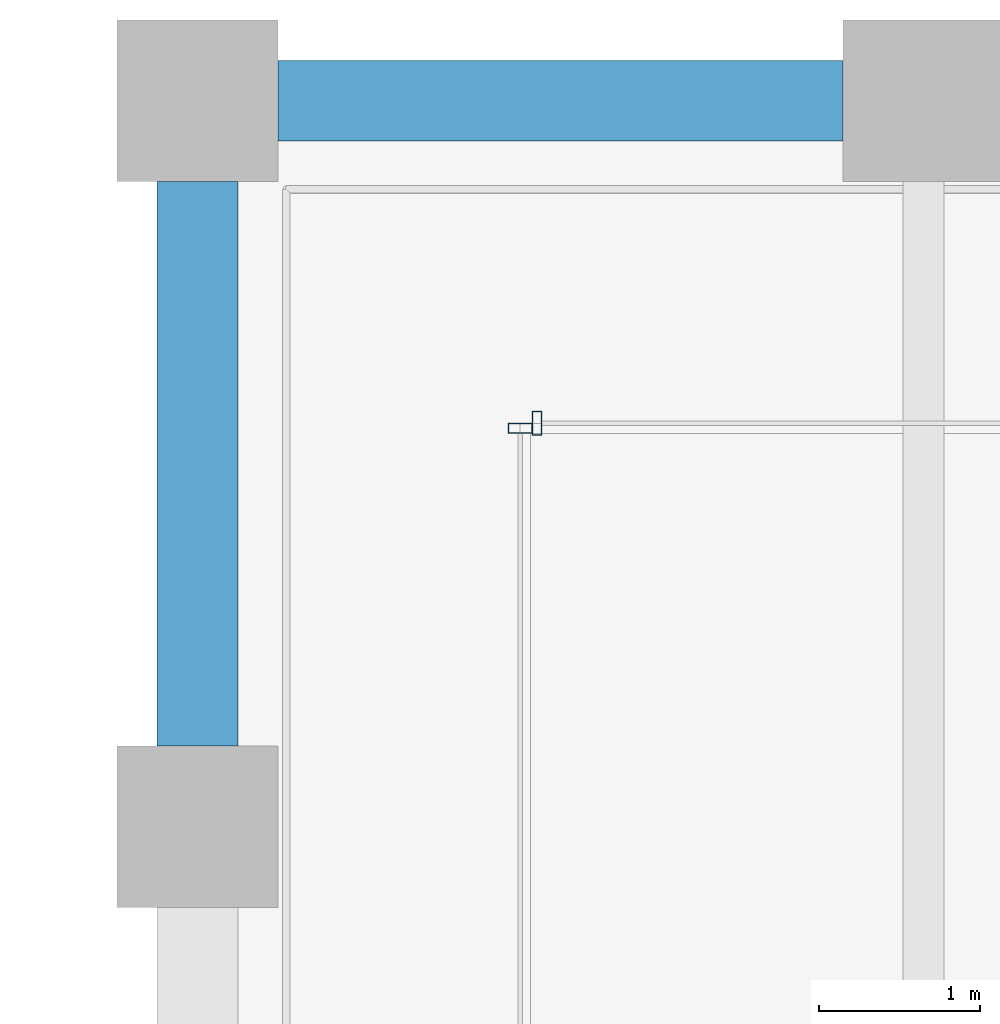
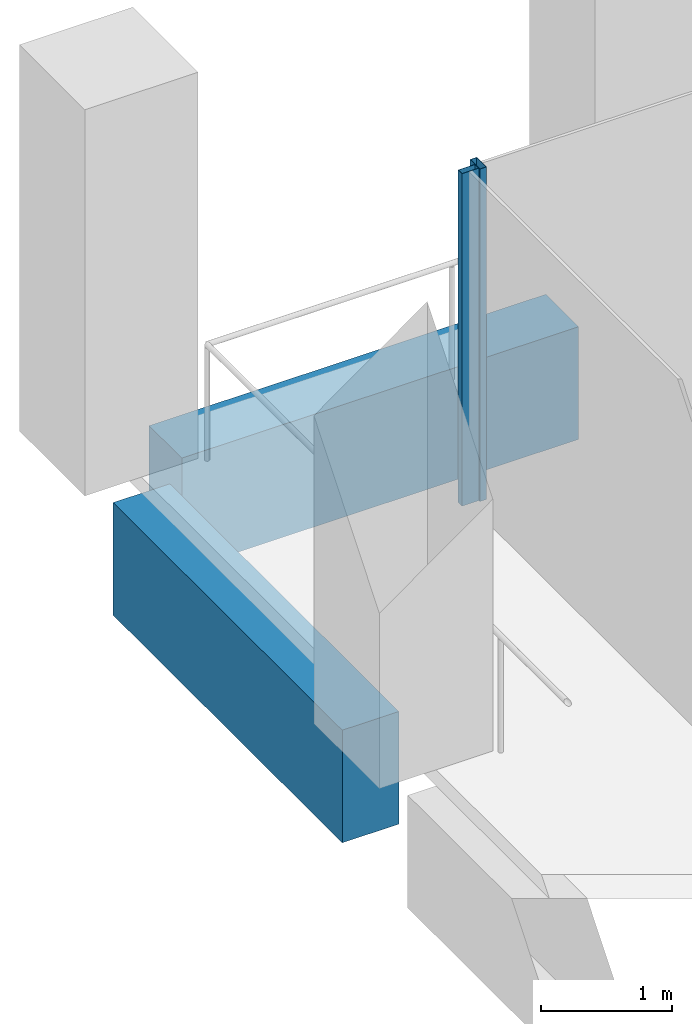
# One storey, part 21 of 46: 2 beams, 2 members, 2 elements without a shape of their own.
"""IFC4 building model written with IfcOpenShell, lengths in metres."""

from ifc_helpers import new_model, si_unit, direction, frame, origin, origin_2d, place, context, subcontext, project, spatial, rectangle, hollow_rectangle, extrude, material, material_profile, profile_set, type_object, element, aggregate, save


model = new_model("IFC4")

# Units and contexts
model_context = context("Model", 3, precision=1e-05, world=origin(), true_north=direction((0.0, 1.0)))
body_context = subcontext(model_context, "Body", "Model", "MODEL_VIEW")
ifc_project = project(units=[si_unit("LENGTHUNIT", "METRE"), si_unit("AREAUNIT", "SQUARE_METRE"), si_unit("VOLUMEUNIT", "CUBIC_METRE"), si_unit("PLANEANGLEUNIT", "RADIAN"), si_unit("MASSUNIT", "GRAM", prefix="KILO")], contexts=[model_context])

# Site, building, storey
site_placement = place(None, origin())
site = spatial("IfcSite", under=ifc_project, at=site_placement, CompositionType="ELEMENT")
building_placement = place(site_placement, origin())
building = spatial("IfcBuilding", under=site, at=building_placement, Name="Altepetl Exchange Towers", CompositionType="ELEMENT")
storey_placement = place(building_placement, frame((0.0, 0.0, 106.39990234375)))
storey = spatial("IfcBuildingStorey", under=building, at=storey_placement, Name="L26", CompositionType="ELEMENT", Elevation=106.39990234375)

# Curtain wall, member
ifc_material_1 = material(Name="Aluminium 6063-T6 glazing", Category="aluminium")
curtain_wall_type = type_object("IfcCurtainWallType", Name="Loggia glazing system", PredefinedType="NOTDEFINED", material=ifc_material_1)
curtain_wall_1_placement = place(storey_placement, origin())
curtain_wall_1 = element("IfcCurtainWall", 1, at=curtain_wall_1_placement, inside=storey, type_object=curtain_wall_type, Name="CW1 run", PredefinedType="NOTDEFINED")
ifc_material_2 = material(Name="Aluminium 6063-T6", Category="aluminium")
ifc_material_profile_1 = material_profile(ifc_material_2, hollow_rectangle(XDim=0.06005859375, YDim=0.14990234375, WallThickness=0.0029296875, at=origin_2d()), Name="Mullion 60x150 aluminium")
ifc_profile_set_1 = profile_set([ifc_material_profile_1], Name="Aluminium 6063-T6")
member_type = type_object("IfcMemberType", Name="Mullion 60x150 aluminium", PredefinedType="MULLION", material=ifc_profile_set_1)
member_1_placement = place(storey_placement, frame((42.60498046875, 70.0, 0.0), z_axis=(0.0, 0.0, 1.0), x_axis=(-1.0, 0.0, 0.0)))
member_1 = element("IfcMember", 2, at=member_1_placement, type_object=member_type, Name="MU1 mullion", PredefinedType="MULLION", context=body_context, shape_type="SweptSolid", body=[
    extrude(hollow_rectangle(XDim=0.06005859375, YDim=0.14990234375, WallThickness=0.0029296875, at=origin_2d()), origin(), (0.0, 0.0, 1.0), 3.10009765625),
])
aggregate(curtain_wall_1, [member_1])

curtain_wall_2_placement = place(storey_placement, origin())
curtain_wall_2 = element("IfcCurtainWall", 3, at=curtain_wall_2_placement, inside=storey, type_object=curtain_wall_type, Name="CW1 run", PredefinedType="NOTDEFINED")
member_2_placement = place(storey_placement, frame((42.5, 69.969970703125, 0.0), z_axis=(0.0, 0.0, 1.0), x_axis=(0.0, -1.0, 0.0)))
member_2 = element("IfcMember", 4, at=member_2_placement, type_object=member_type, Name="MU1 mullion", PredefinedType="MULLION", context=body_context, shape_type="SweptSolid", body=[
    extrude(hollow_rectangle(XDim=0.06005859375, YDim=0.14990234375, WallThickness=0.0029296875, at=origin_2d()), origin(), (0.0, 0.0, 1.0), 3.10009765625),
])
aggregate(curtain_wall_2, [member_2])

# Beams
ifc_material_3 = material(Name="Concrete C50/60 precast with cantera rosa facing", Category="concrete")
ifc_material_profile_2 = material_profile(ifc_material_3, rectangle(XDim=0.5, YDim=1.050048828125, at=origin_2d()), Name="500 x 1050")
ifc_profile_set_2 = profile_set([ifc_material_profile_2], Name="Concrete C50/60 precast with cantera rosa facing")
beam_type_1 = type_object("IfcBeamType", Name="Spandrel beam 500x1050 cantera rosa", PredefinedType="SPANDREL", material=ifc_profile_set_2)
beam_1_placement = place(storey_placement, frame((44.5, 72.0, -0.6748046875), z_axis=(-1.0, 0.0, 0.0), x_axis=(0.0, -1.0, 0.0)))
element("IfcBeam", 5, at=beam_1_placement, inside=storey, type_object=beam_type_1, Name="sp:A:L26:029", PredefinedType="SPANDREL", context=body_context, shape_type="SweptSolid", body=[
    extrude(rectangle(XDim=0.5, YDim=1.050048828125, at=origin_2d()), origin(), (0.0, 0.0, 1.0), 3.5),
])
ifc_material_4 = material(Name="Concrete C50/60 precast with tezontle facing", Category="concrete")
ifc_material_profile_3 = material_profile(ifc_material_4, rectangle(XDim=0.5, YDim=1.050048828125, at=origin_2d()), Name="500 x 1050")
ifc_profile_set_3 = profile_set([ifc_material_profile_3], Name="Concrete C50/60 precast with tezontle facing")
beam_type_2 = type_object("IfcBeamType", Name="Spandrel beam 500x1050 tezontle", PredefinedType="SPANDREL", material=ifc_profile_set_3)
beam_2_placement = place(storey_placement, frame((40.5, 71.5, -0.6748046875), z_axis=(0.0, -1.0, 0.0), x_axis=(1.0, 0.0, 0.0)))
element("IfcBeam", 6, at=beam_2_placement, inside=storey, type_object=beam_type_2, Name="sp:A:L26:030", PredefinedType="SPANDREL", context=body_context, shape_type="SweptSolid", body=[
    extrude(rectangle(XDim=0.5, YDim=1.050048828125, at=origin_2d()), origin(), (0.0, 0.0, 1.0), 3.5),
])

save(model, "model.ifc")
